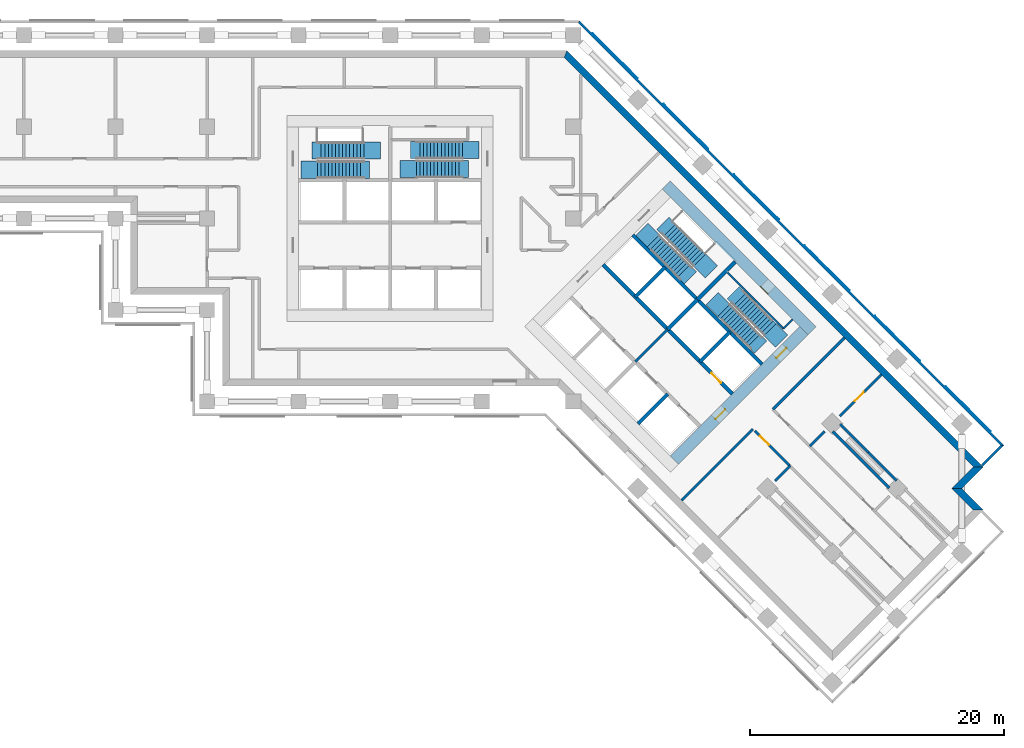
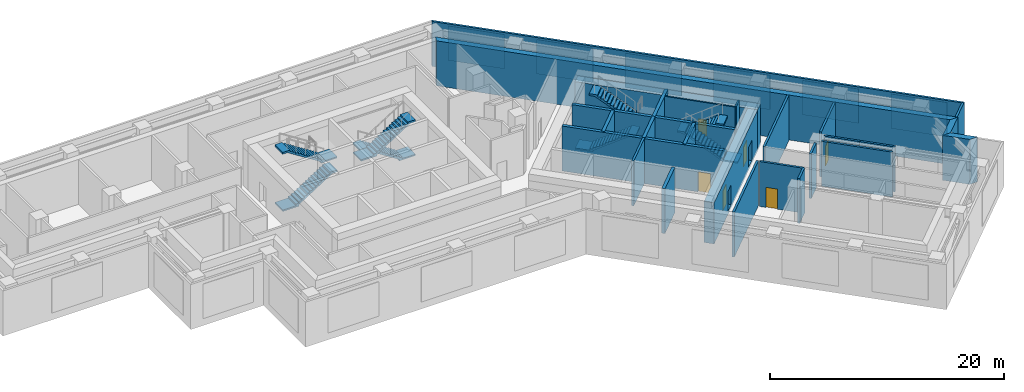
# One storey, part 6 of 8: 27 walls, 8 stair flights, 6 doors, 6 plates, 6 openings, 4 elements without a shape of their own.
"""IFC4 building model written with IfcOpenShell, lengths in metres."""

from ifc_helpers import new_model, si_unit, direction, frame, frame_2d, origin, place, context, subcontext, project, spatial, polyline, rectangle, outline, extrude, material, layer, layer_set, type_object, element, fill, aggregate, save


model = new_model("IFC4")

# Units and contexts
model_context = context("Model", 3, precision=1e-05, world=origin(), true_north=direction((0.0, 1.0)))
body_context = subcontext(model_context, "Body", "Model", "MODEL_VIEW")
ifc_project = project(units=[si_unit("LENGTHUNIT", "METRE"), si_unit("AREAUNIT", "SQUARE_METRE"), si_unit("VOLUMEUNIT", "CUBIC_METRE"), si_unit("PLANEANGLEUNIT", "RADIAN"), si_unit("MASSUNIT", "GRAM", prefix="KILO")], contexts=[model_context])

# Plate
ifc_material_1 = material(Name="Aluminium louvre", Category="aluminium")
ifc_layer_1 = layer(ifc_material_1, 0.05)
ifc_layer_set_1 = layer_set([ifc_layer_1], Name="Belt louvre panel 5000x3600")
plate_type = type_object("IfcPlateType", Name="Belt louvre panel 5000x3600", PredefinedType="SHEET", material=ifc_layer_set_1)
site_placement = place(None, origin())
building_placement = place(site_placement, origin())
storey_placement = place(building_placement, frame((0.0, 0.0, 72.0)))
plate_1_placement = place(storey_placement, frame((112.0284, 40.8687, 0.75), z_axis=(0.7070967812, 0.7071167811, 0.0), x_axis=(-0.7071167811, 0.7070967812, 0.0)))
plate_1 = element("IfcPlate", 1, at=plate_1_placement, type_object=plate_type, Name="Belt louvre panel L19 12.1", PredefinedType="SHEET", context=body_context, shape_type="SweptSolid", body=[
    extrude(outline(polyline([(0.0, 0.0), (5.0, 0.0), (5.0, 3.6), (0.0, 3.6), (0.0, 0.0)])), origin(), (0.0, 0.0, -1.0), 0.05),
])

plate_2_placement = place(storey_placement, frame((106.4793, 46.4177, 0.75), z_axis=(0.7071167811, 0.7070967812, 0.0), x_axis=(-0.7070967812, 0.7071167811, 0.0)))
plate_2 = element("IfcPlate", 2, at=plate_2_placement, type_object=plate_type, Name="Belt louvre panel L19 13.2", PredefinedType="SHEET", context=body_context, shape_type="SweptSolid", body=[
    extrude(outline(polyline([(0.0, 0.0), (5.0, 0.0), (5.0, 3.6), (0.0, 3.6), (0.0, 0.0)])), origin(), (0.0, 0.0, -1.0), 0.05),
])

plate_3_placement = place(storey_placement, frame((100.9303, 51.9667, 0.75), z_axis=(0.7071167811, 0.7070967812, 0.0), x_axis=(-0.7070967812, 0.7071167811, 0.0)))
plate_3 = element("IfcPlate", 3, at=plate_3_placement, type_object=plate_type, Name="Belt louvre panel L19 14.3", PredefinedType="SHEET", context=body_context, shape_type="SweptSolid", body=[
    extrude(outline(polyline([(0.0, 0.0), (5.0, 0.0), (5.0, 3.6), (0.0, 3.6), (0.0, 0.0)])), origin(), (0.0, 0.0, -1.0), 0.05),
])

plate_4_placement = place(storey_placement, frame((95.3813, 57.5158, 0.75), z_axis=(0.7071067812, 0.7071067812, 0.0), x_axis=(-0.7071067812, 0.7071067812, 0.0)))
plate_4 = element("IfcPlate", 4, at=plate_4_placement, type_object=plate_type, Name="Belt louvre panel L19 15.4", PredefinedType="SHEET", context=body_context, shape_type="SweptSolid", body=[
    extrude(outline(polyline([(0.0, 0.0), (5.0, 0.0), (5.0, 3.6), (0.0, 3.6), (0.0, 0.0)])), origin(), (0.0, 0.0, -1.0), 0.05),
])

plate_5_placement = place(storey_placement, frame((89.8323, 63.0648, 0.75), z_axis=(0.7070967812, 0.7071167811, 0.0), x_axis=(-0.7071167811, 0.7070967812, 0.0)))
plate_5 = element("IfcPlate", 5, at=plate_5_placement, type_object=plate_type, Name="Belt louvre panel L19 16.5", PredefinedType="SHEET", context=body_context, shape_type="SweptSolid", body=[
    extrude(outline(polyline([(0.0, 0.0), (5.0, 0.0), (5.0, 3.6), (0.0, 3.6), (0.0, 0.0)])), origin(), (0.0, 0.0, -1.0), 0.05),
])

plate_6_placement = place(storey_placement, frame((84.2832, 68.6138, 0.75), z_axis=(0.7071067812, 0.7071067812, 0.0), x_axis=(-0.7071067812, 0.7071067812, 0.0)))
plate_6 = element("IfcPlate", 6, at=plate_6_placement, type_object=plate_type, Name="Belt louvre panel L19 17.6", PredefinedType="SHEET", context=body_context, shape_type="SweptSolid", body=[
    extrude(outline(polyline([(0.0, 0.0), (5.0, 0.0), (5.0, 3.6), (0.0, 3.6), (0.0, 0.0)])), origin(), (0.0, 0.0, -1.0), 0.05),
])

# Site, building, storey
site = spatial("IfcSite", under=ifc_project, at=site_placement, CompositionType="ELEMENT")
building = spatial("IfcBuilding", under=site, at=building_placement, Name="Windrow Commons", CompositionType="ELEMENT")
storey = spatial("IfcBuildingStorey", under=building, at=storey_placement, Name="L19", CompositionType="ELEMENT", Elevation=72.0)

# Wall
ifc_material_2 = material(Name="Concrete C40/50 precast screen panel", Category="concrete")
ifc_layer_2 = layer(ifc_material_2, 0.2)
ifc_layer_set_2 = layer_set([ifc_layer_2], Name="Belt screen wall 200")
wall_type_1 = type_object("IfcWallType", Name="Belt screen wall 200", PredefinedType="SOLIDWALL", material=ifc_layer_set_2)
wall_1_placement = place(storey_placement, frame((112.929, 39.7559, 0.0), z_axis=(0.0, 0.0, 1.0), x_axis=(-0.7071067812, 0.7071067812, 0.0)))
wall_1 = element("IfcWall", 7, at=wall_1_placement, inside=storey, type_object=wall_type_1, Name="Belt screen wall L19 12", PredefinedType="SOLIDWALL", context=body_context, shape_type="SweptSolid", body=[
    extrude(outline(polyline([(-0.1, -0.1), (47.1263, -0.1), (47.0435, 0.1), (0.1, 0.1), (-0.1, -0.1)])), origin(), (0.0, 0.0, 1.0), 4.7),
])

aggregate(wall_1, [plate_1, plate_2, plate_3, plate_4, plate_5, plate_6])

# Walls
wall_2_placement = place(storey_placement, frame((111.3522, 38.1791, 0.0), z_axis=(0.0, 0.0, 1.0), x_axis=(0.7071067812, 0.7071067812, 0.0)))
element("IfcWall", 8, at=wall_2_placement, inside=storey, type_object=wall_type_1, Name="Belt screen wall L19 4", PredefinedType="SOLIDWALL", context=body_context, shape_type="SweptSolid", body=[
    extrude(outline(polyline([(0.0, -0.1), (2.33, -0.1), (2.13, 0.1), (0.0, 0.1), (0.0, -0.1)])), origin(), (0.0, 0.0, 1.0), 4.7),
])
ifc_material_3 = material(Name="Brick masonry, red clay brick", Category="masonry")
ifc_layer_3 = layer(ifc_material_3, 0.55)
ifc_layer_set_3 = layer_set([ifc_layer_3], Name="Brick facade wall 550")
wall_type_2 = type_object("IfcWallType", Name="Brick facade wall 550", PredefinedType="SOLIDWALL", material=ifc_layer_set_3)
wall_3_placement = place(storey_placement, frame((111.0552, 34.6648, 0.0), z_axis=(0.0, 0.0, 1.0), x_axis=(-0.7071276143, 0.7070859475, 0.0)))
element("IfcWall", 9, at=wall_3_placement, inside=storey, type_object=wall_type_2, Name="Brick facade wall L19 1", PredefinedType="SOLIDWALL", context=body_context, shape_type="SweptSolid", body=[
    extrude(outline(polyline([(-0.275, -0.275), (2.125, -0.275), (2.675, 0.275), (0.275, 0.275), (-0.275, -0.275)])), origin(), (0.0, 0.0, 1.0), 4.7),
])
wall_4_placement = place(storey_placement, frame((109.3581, 36.3618, 0.0), z_axis=(0.0, 0.0, 1.0), x_axis=(0.7071067812, 0.7071067812, 0.0)))
element("IfcWall", 10, at=wall_4_placement, inside=storey, type_object=wall_type_2, Name="Brick facade wall L19 2", PredefinedType="SOLIDWALL", context=body_context, shape_type="SweptSolid", body=[
    extrude(outline(polyline([(0.275, -0.275), (2.6751, -0.275), (2.1251, 0.275), (-0.275, 0.275), (0.275, -0.275)])), origin(), (0.0, 0.0, 1.0), 4.7),
])
wall_5_placement = place(storey_placement, frame((111.0552, 38.0589, 0.0), z_axis=(0.0, 0.0, 1.0), x_axis=(-0.7071078702, 0.7071056922, 0.0)))
element("IfcWall", 11, at=wall_5_placement, inside=storey, type_object=wall_type_2, Name="Brick facade wall L19 3", PredefinedType="SOLIDWALL", context=body_context, shape_type="SweptSolid", body=[
    extrude(outline(polyline([(-0.275, -0.275), (46.028, -0.275), (45.8002, 0.275), (0.275, 0.275), (-0.275, -0.275)])), origin(), (0.0, 0.0, 1.0), 4.7),
])
ifc_material_4 = material(Name="Blockwork partition", Category="masonry")
ifc_layer_4 = layer(ifc_material_4, 0.2)
ifc_layer_set_4 = layer_set([ifc_layer_4], Name="Fire lobby partition 200")
wall_type_3 = type_object("IfcWallType", Name="Fire lobby partition 200", PredefinedType="PARTITIONING", material=ifc_layer_set_4)
wall_6_placement = place(storey_placement, frame((84.079, 46.332, 0.0), z_axis=(0.0, 0.0, 1.0), x_axis=(0.7071067812, 0.7071067812, 0.0)))
element("IfcWall", 12, at=wall_6_placement, inside=storey, type_object=wall_type_3, Name="W-core-lobby-B-L19", PredefinedType="PARTITIONING", context=body_context, shape_type="SweptSolid", body=[
    extrude(rectangle(XDim=3.6, YDim=0.2, at=frame_2d((1.8, 0.0))), origin(), (0.0, 0.0, 1.0), 4.7),
])
ifc_material_5 = material(Name="Blockwork partition", Category="masonry")
ifc_layer_5 = layer(ifc_material_5, 0.2)
ifc_layer_set_5 = layer_set([ifc_layer_5], Name="IW-CORRIDOR-200")
wall_type_4 = type_object("IfcWallType", Name="IW-CORRIDOR-200", PredefinedType="PARTITIONING", material=ifc_layer_set_5)
wall_7_placement = place(storey_placement, frame((94.8969, 42.5851, 0.0), z_axis=(0.0, 0.0, 1.0), x_axis=(0.7071067812, 0.7071067812, 0.0)))
element("IfcWall", 13, at=wall_7_placement, inside=storey, type_object=wall_type_4, Name="W-L19-W005", PredefinedType="PARTITIONING", context=body_context, shape_type="SweptSolid", body=[
    extrude(rectangle(XDim=7.9501, YDim=0.2, at=frame_2d((3.975, 0.0))), origin(), (0.0, 0.0, 1.0), 4.7),
])
wall_8_placement = place(storey_placement, frame((87.7167, 35.4111, 0.0), z_axis=(0.0, 0.0, 1.0), x_axis=(0.7072325651, 0.7069809749, 0.0)))
element("IfcWall", 14, at=wall_8_placement, inside=storey, type_object=wall_type_4, Name="W-L19-W009", PredefinedType="PARTITIONING", context=body_context, shape_type="SweptSolid", body=[
    extrude(rectangle(XDim=7.9494, YDim=0.2, at=frame_2d((3.9747, 0.0))), origin(), (0.0, 0.0, 1.0), 4.7),
])

# Wall, opening, door
wall_9_placement = place(storey_placement, frame((93.4873, 40.8913, 0.0), z_axis=(0.0, 0.0, 1.0), x_axis=(0.7071067812, -0.7071067812, 0.0)))
wall_9 = element("IfcWall", 15, at=wall_9_placement, inside=storey, type_object=wall_type_4, Name="W-L19-W033", PredefinedType="PARTITIONING", context=body_context, shape_type="SweptSolid", body=[
    extrude(rectangle(XDim=3.9004, YDim=0.2, at=frame_2d((1.9502, 0.0))), origin(), (0.0, 0.0, 1.0), 4.7),
])
opening_1_placement = place(wall_9_placement, frame((0.5841, 0.0, 0.0)))
opening_1 = element("IfcOpeningElement", 16, at=opening_1_placement, cuts=wall_9, Name="Opening D410F", PredefinedType="OPENING", context=body_context, shape_type="SweptSolid", body=[
    extrude(rectangle(XDim=1.0, YDim=2.1, at=frame_2d((0.5, 1.05))), frame((0.0, 0.11, 0.0), z_axis=(0.0, -1.0, 0.0), x_axis=(1.0, 0.0, 0.0)), (0.0, 0.0, 1.0), 0.22),
])
ifc_material_6 = material(Name="Timber door leaf", Category="wood")
door_type_1 = type_object("IfcDoorType", Name="DT-SERVICE-1000", OperationType="SINGLE_SWING_LEFT", PredefinedType="DOOR", material=ifc_material_6)
door_1_placement = place(opening_1_placement, origin())
door_1 = element("IfcDoor", 17, at=door_1_placement, inside=storey, type_object=door_type_1, Name="D-L19-D019", OperationType="SINGLE_SWING_LEFT", OverallHeight=2.1, OverallWidth=1.0, PredefinedType="DOOR", context=body_context, shape_type="SweptSolid", body=[
    extrude(rectangle(XDim=1.0, YDim=2.1, at=frame_2d((0.5, 1.05))), frame((0.0, 0.025, 0.0), z_axis=(0.0, -1.0, 0.0), x_axis=(1.0, 0.0, 0.0)), (0.0, 0.0, 1.0), 0.05),
])
fill(opening_1, door_1)

# Wall
ifc_material_7 = material(Name="Blockwork partition", Category="masonry")
ifc_layer_6 = layer(ifc_material_7, 0.2)
ifc_layer_set_6 = layer_set([ifc_layer_6], Name="IW-PARTY-200")
wall_type_5 = type_object("IfcWallType", Name="IW-PARTY-200", PredefinedType="PARTITIONING", material=ifc_layer_set_6)
wall_10_placement = place(storey_placement, frame((99.5967, 40.8507, 0.0), z_axis=(0.0, 0.0, 1.0), x_axis=(0.7067894796, -0.7074239405, 0.0)))
element("IfcWall", 18, at=wall_10_placement, inside=storey, type_object=wall_type_5, Name="W-L19-W012", PredefinedType="PARTITIONING", context=body_context, shape_type="SweptSolid", body=[
    extrude(rectangle(XDim=6.3046, YDim=0.2, at=frame_2d((3.1523, 0.0))), origin(), (0.0, 0.0, 1.0), 4.7),
])

# Wall, opening, door
wall_11_placement = place(storey_placement, frame((100.163, 42.053, 0.0), z_axis=(0.0, 0.0, 1.0), x_axis=(0.7071067812, 0.7071067812, 0.0)))
wall_11 = element("IfcWall", 19, at=wall_11_placement, inside=storey, type_object=wall_type_5, Name="W-L19-W028", PredefinedType="PARTITIONING", context=body_context, shape_type="SweptSolid", body=[
    extrude(rectangle(XDim=4.6027, YDim=0.2, at=frame_2d((2.3013, 0.0))), origin(), (0.0, 0.0, 1.0), 4.7),
])
opening_2_placement = place(wall_11_placement, frame((1.6576, 0.0, 0.0)))
opening_2 = element("IfcOpeningElement", 20, at=opening_2_placement, cuts=wall_11, Name="Opening D310N", PredefinedType="OPENING", context=body_context, shape_type="SweptSolid", body=[
    extrude(rectangle(XDim=1.0, YDim=2.1, at=frame_2d((0.5, 1.05))), frame((0.0, 0.11, 0.0), z_axis=(0.0, -1.0, 0.0), x_axis=(1.0, 0.0, 0.0)), (0.0, 0.0, 1.0), 0.22),
])
ifc_material_8 = material(Name="Timber door leaf", Category="wood")
door_type_2 = type_object("IfcDoorType", Name="DT-AMENITY-1000", OperationType="SINGLE_SWING_LEFT", PredefinedType="DOOR", material=ifc_material_8)
door_2_placement = place(opening_2_placement, origin())
door_2 = element("IfcDoor", 21, at=door_2_placement, inside=storey, type_object=door_type_2, Name="D-L19-DX02", OperationType="SINGLE_SWING_LEFT", OverallHeight=2.1, OverallWidth=1.0, PredefinedType="DOOR", context=body_context, shape_type="SweptSolid", body=[
    extrude(rectangle(XDim=1.0, YDim=2.1, at=frame_2d((0.5, 1.05))), frame((0.0, 0.025, 0.0), z_axis=(0.0, -1.0, 0.0), x_axis=(1.0, 0.0, 0.0)), (0.0, 0.0, 1.0), 0.05),
])
fill(opening_2, door_2)

# Walls
wall_12_placement = place(storey_placement, frame((100.1675, 41.4235, 0.0), z_axis=(0.0, 0.0, 1.0), x_axis=(0.7071067812, -0.7071067812, 0.0)))
element("IfcWall", 22, at=wall_12_placement, inside=storey, type_object=wall_type_5, Name="W-L19-W040", PredefinedType="PARTITIONING", context=body_context, shape_type="SweptSolid", body=[
    extrude(rectangle(XDim=3.1537, YDim=0.2, at=frame_2d((1.5769, 0.0))), origin(), (0.0, 0.0, 1.0), 4.7),
])
wall_13_placement = place(storey_placement, frame((102.3975, 39.1935, 0.0), z_axis=(0.0, 0.0, 1.0), x_axis=(0.7067891945, -0.7074242253, 0.0)))
element("IfcWall", 23, at=wall_13_placement, inside=storey, type_object=wall_type_5, Name="W-L19-W043", PredefinedType="PARTITIONING", context=body_context, shape_type="SweptSolid", body=[
    extrude(rectangle(XDim=3.1495, YDim=0.2, at=frame_2d((1.5748, 0.0))), origin(), (0.0, 0.0, 1.0), 4.7),
])
for number, where, z_axis, x_axis, name in (
    (24, (97.796, 39.686, 0.0), (0.0, 0.0, 1.0), (0.7071067812, 0.7071067812, 0.0), "W-L19-W066"),
    (25, (95.073, 36.963, 0.0), (0.0, 0.0, 1.0), (0.7071067812, 0.7071067812, 0.0), "W-L19-W067"),
):
    element("IfcWall", number, at=place(storey_placement, frame(where, z_axis=z_axis, x_axis=x_axis)), inside=storey, type_object=wall_type_5, Name=name, PredefinedType="PARTITIONING", context=body_context, shape_type="SweptSolid", body=[
        extrude(rectangle(XDim=1.6518, YDim=0.2, at=frame_2d((0.8259, 0.0))), origin(), (0.0, 0.0, 1.0), 4.7),
    ])

# Wall, opening, door
ifc_material_9 = material(Name="Concrete C60/75", Category="concrete")
ifc_layer_7 = layer(ifc_material_9, 0.9)
ifc_layer_set_7 = layer_set([ifc_layer_7], Name="RC CORE WALL 900 C60/75")
wall_type_6 = type_object("IfcWallType", Name="RC CORE WALL 900 C60/75", PredefinedType="SHEAR", material=ifc_layer_set_7)
wall_14_placement = place(storey_placement, frame((86.5186, 60.2267, -0.3), z_axis=(0.0, 0.0, 1.0), x_axis=(0.7071036948, -0.7071098676, 0.0)))
wall_14 = element("IfcWall", 26, at=wall_14_placement, inside=storey, type_object=wall_type_6, Name="Core B wall outer-N", PredefinedType="SHEAR", context=body_context, shape_type="SweptSolid", body=[
    extrude(rectangle(XDim=16.2, YDim=0.9, at=frame_2d((8.1, 0.0))), origin(), (0.0, 0.0, 1.0), 4.3),
])
opening_3_placement = place(wall_14_placement, frame((10.9, 0.0, 0.3)))
opening_3 = element("IfcOpeningElement", 27, at=opening_3_placement, cuts=wall_14, Name="Opening D9", PredefinedType="OPENING", context=body_context, shape_type="SweptSolid", body=[
    extrude(rectangle(XDim=0.8, YDim=2.1, at=frame_2d((0.4, 1.05))), frame((0.0, 0.46, 0.0), z_axis=(0.0, -1.0, 0.0), x_axis=(1.0, 0.0, 0.0)), (0.0, 0.0, 1.0), 0.92),
])
ifc_material_10 = material(Name="Steel fire door leaf", Category="steel")
door_type_3 = type_object("IfcDoorType", Name="Riser access door 800", OperationType="SINGLE_SWING_LEFT", PredefinedType="DOOR", material=ifc_material_10)
door_3_placement = place(opening_3_placement, origin())
door_3 = element("IfcDoor", 28, at=door_3_placement, inside=storey, type_object=door_type_3, Name="Riser access door", OperationType="SINGLE_SWING_RIGHT", OverallHeight=2.1, OverallWidth=0.8, PredefinedType="DOOR", context=body_context, shape_type="SweptSolid", body=[
    extrude(rectangle(XDim=0.8, YDim=2.1, at=frame_2d((0.4, 1.05))), frame((0.0, -0.39, 0.0), z_axis=(0.0, -1.0, 0.0), x_axis=(1.0, 0.0, 0.0)), (0.0, 0.0, 1.0), 0.05),
])
fill(opening_3, door_3)

# Wall, openings, doors
wall_15_placement = place(storey_placement, frame((87.155, 38.5892, -0.3), z_axis=(0.0, 0.0, 1.0), x_axis=(0.7071067812, 0.7071067812, 0.0)))
wall_15 = element("IfcWall", 29, at=wall_15_placement, inside=storey, type_object=wall_type_6, Name="Core B wall outer-E", PredefinedType="SHEAR", context=body_context, shape_type="SweptSolid", body=[
    extrude(rectangle(XDim=14.3999, YDim=0.9, at=frame_2d((7.2, 0.0))), origin(), (0.0, 0.0, 1.0), 4.3),
])
opening_4_placement = place(wall_15_placement, frame((4.55, 0.0, 0.3)))
opening_4 = element("IfcOpeningElement", 30, at=opening_4_placement, cuts=wall_15, Name="Opening D6", PredefinedType="OPENING", context=body_context, shape_type="SweptSolid", body=[
    extrude(rectangle(XDim=1.1, YDim=2.1, at=frame_2d((0.55, 1.05))), frame((0.0, 0.46, 0.0), z_axis=(0.0, -1.0, 0.0), x_axis=(1.0, 0.0, 0.0)), (0.0, 0.0, 1.0), 0.92),
])
opening_5_placement = place(wall_15_placement, frame((11.35, 0.0, 0.3)))
opening_5 = element("IfcOpeningElement", 31, at=opening_5_placement, cuts=wall_15, Name="Opening D7", PredefinedType="OPENING", context=body_context, shape_type="SweptSolid", body=[
    extrude(rectangle(XDim=1.1, YDim=2.1, at=frame_2d((0.55, 1.05))), frame((0.0, 0.46, 0.0), z_axis=(0.0, -1.0, 0.0), x_axis=(1.0, 0.0, 0.0)), (0.0, 0.0, 1.0), 0.92),
])
ifc_material_11 = material(Name="Steel fire door leaf", Category="steel")
door_type_4 = type_object("IfcDoorType", Name="Core lobby door 1100", OperationType="SINGLE_SWING_LEFT", PredefinedType="DOOR", material=ifc_material_11)
door_4_placement = place(opening_4_placement, origin())
door_4 = element("IfcDoor", 32, at=door_4_placement, inside=storey, type_object=door_type_4, Name="Lift lobby door", OperationType="DOUBLE_DOOR_SINGLE_SWING", OverallHeight=2.1, OverallWidth=1.1, PredefinedType="DOOR", context=body_context, shape_type="SweptSolid", body=[
    extrude(rectangle(XDim=1.1, YDim=2.1, at=frame_2d((0.55, 1.05))), frame((0.0, 0.025, 0.0), z_axis=(0.0, -1.0, 0.0), x_axis=(1.0, 0.0, 0.0)), (0.0, 0.0, 1.0), 0.05),
])
fill(opening_4, door_4)
ifc_material_12 = material(Name="Steel fire door leaf", Category="steel")
door_type_5 = type_object("IfcDoorType", Name="Stair door 1100", OperationType="SINGLE_SWING_LEFT", PredefinedType="DOOR", material=ifc_material_12)
door_5_placement = place(opening_5_placement, origin())
door_5 = element("IfcDoor", 33, at=door_5_placement, inside=storey, type_object=door_type_5, Name="Stair door", OperationType="SINGLE_SWING_RIGHT", OverallHeight=2.1, OverallWidth=1.1, PredefinedType="DOOR", context=body_context, shape_type="SweptSolid", body=[
    extrude(rectangle(XDim=1.1, YDim=2.1, at=frame_2d((0.55, 1.05))), frame((0.0, 0.025, 0.0), z_axis=(0.0, -1.0, 0.0), x_axis=(1.0, 0.0, 0.0)), (0.0, 0.0, 1.0), 0.05),
])
fill(opening_5, door_5)

# Walls
ifc_material_13 = material(Name="Concrete C60/75", Category="concrete")
ifc_layer_8 = layer(ifc_material_13, 0.3)
ifc_layer_set_8 = layer_set([ifc_layer_8], Name="RC SHAFT WALL 300 C60/75")
wall_type_7 = type_object("IfcWallType", Name="RC SHAFT WALL 300 C60/75", PredefinedType="SOLIDWALL", material=ifc_layer_set_8)
wall_16_placement = place(storey_placement, frame((84.079, 51.4232, 0.0), z_axis=(0.0, 0.0, 1.0), x_axis=(0.7071219326, 0.7070916295, 0.0)))
element("IfcWall", 34, at=wall_16_placement, inside=storey, type_object=wall_type_7, Name="Core B wall shaft-N1", PredefinedType="SOLIDWALL", context=body_context, shape_type="SweptSolid", body=[
    extrude(rectangle(XDim=3.3, YDim=0.3, at=frame_2d((1.65, 0.0))), origin(), (0.0, 0.0, 1.0), 4.7),
])
wall_17_placement = place(storey_placement, frame((86.6246, 48.8776, 0.0), z_axis=(0.0, 0.0, 1.0), x_axis=(0.7071067812, 0.7071067812, 0.0)))
element("IfcWall", 35, at=wall_17_placement, inside=storey, type_object=wall_type_7, Name="Core B wall shaft-N2", PredefinedType="SOLIDWALL", context=body_context, shape_type="SweptSolid", body=[
    extrude(rectangle(XDim=3.3001, YDim=0.3, at=frame_2d((1.6501, 0.0))), origin(), (0.0, 0.0, 1.0), 4.7),
])
wall_18_placement = place(storey_placement, frame((84.2912, 41.453, 0.0), z_axis=(0.0, 0.0, 1.0), x_axis=(0.7071067812, 0.7071067812, 0.0)))
element("IfcWall", 36, at=wall_18_placement, inside=storey, type_object=wall_type_7, Name="Core B wall shaft-S3", PredefinedType="SOLIDWALL", context=body_context, shape_type="SweptSolid", body=[
    extrude(rectangle(XDim=3.2999, YDim=0.3, at=frame_2d((1.65, 0.0))), origin(), (0.0, 0.0, 1.0), 4.7),
])
wall_19_placement = place(storey_placement, frame((89.1702, 46.332, 0.0), z_axis=(0.0, 0.0, 1.0), x_axis=(0.7071067812, 0.7071067812, 0.0)))
element("IfcWall", 37, at=wall_19_placement, inside=storey, type_object=wall_type_7, Name="Core B wall shaft-N3", PredefinedType="SOLIDWALL", context=body_context, shape_type="SweptSolid", body=[
    extrude(rectangle(XDim=3.3001, YDim=0.3, at=frame_2d((1.6501, 0.0))), origin(), (0.0, 0.0, 1.0), 4.7),
])

# Wall, opening, door
wall_20_placement = place(storey_placement, frame((81.5335, 53.9688, 0.0), z_axis=(0.0, 0.0, 1.0), x_axis=(0.707103309, -0.7071102534, 0.0)))
wall_20 = element("IfcWall", 38, at=wall_20_placement, inside=storey, type_object=wall_type_7, Name="Core B wall lobby-N", PredefinedType="SOLIDWALL", context=body_context, shape_type="SweptSolid", body=[
    extrude(rectangle(XDim=14.4, YDim=0.3, at=frame_2d((7.2, 0.0))), origin(), (0.0, 0.0, 1.0), 4.7),
])
opening_6_placement = place(wall_20_placement, frame((12.05, 0.0, 0.0)))
opening_6 = element("IfcOpeningElement", 39, at=opening_6_placement, cuts=wall_20, Name="Opening LD", PredefinedType="OPENING", context=body_context, shape_type="SweptSolid", body=[
    extrude(rectangle(XDim=1.1, YDim=2.1, at=frame_2d((0.55, 1.05))), frame((0.0, 0.16, 0.0), z_axis=(0.0, -1.0, 0.0), x_axis=(1.0, 0.0, 0.0)), (0.0, 0.0, 1.0), 0.32),
])
ifc_material_14 = material(Name="Stainless steel door leaf", Category="steel")
door_type_6 = type_object("IfcDoorType", Name="Lift landing door 1100", OperationType="SLIDING_TO_LEFT", PredefinedType="DOOR", material=ifc_material_14)
door_6_placement = place(opening_6_placement, origin())
door_6 = element("IfcDoor", 40, at=door_6_placement, inside=storey, type_object=door_type_6, Name="Lift landing door", OperationType="SLIDING_TO_RIGHT", OverallHeight=2.1, OverallWidth=1.1, PredefinedType="DOOR", context=body_context, shape_type="SweptSolid", body=[
    extrude(rectangle(XDim=1.1, YDim=2.1, at=frame_2d((0.55, 1.05))), frame((0.0, 0.025, 0.0), z_axis=(0.0, -1.0, 0.0), x_axis=(1.0, 0.0, 0.0)), (0.0, 0.0, 1.0), 0.05),
])
fill(opening_6, door_6)

# Walls
for number, where, z_axis, x_axis, name in (
    (41, (83.8669, 56.3022, 0.0), (0.0, 0.0, 1.0), (0.7071137256, -0.7070998367, 0.0), "Core B wall stair-S"),
    (42, (88.9581, 51.2111, 0.0), (0.0, 0.0, 1.0), (0.7070998367, -0.7071137256, 0.0), "Core B wall stair-S2"),
):
    element("IfcWall", number, at=place(storey_placement, frame(where, z_axis=z_axis, x_axis=x_axis)), inside=storey, type_object=wall_type_7, Name=name, PredefinedType="SOLIDWALL", context=body_context, shape_type="SweptSolid", body=[
        extrude(rectangle(XDim=7.2, YDim=0.3, at=frame_2d((3.6, 0.0))), origin(), (0.0, 0.0, 1.0), 4.7),
    ])
wall_21_placement = place(storey_placement, frame((88.9581, 51.2111, 0.0), z_axis=(0.0, 0.0, 1.0), x_axis=(0.7071067812, 0.7071067812, 0.0)))
element("IfcWall", 43, at=wall_21_placement, inside=storey, type_object=wall_type_7, Name="Core B wall stair-mid", PredefinedType="SOLIDWALL", context=body_context, shape_type="SweptSolid", body=[
    extrude(rectangle(XDim=4.1999, YDim=0.3, at=frame_2d((2.1, 0.0))), origin(), (0.0, 0.0, 1.0), 4.7),
])
ifc_material_15 = material(Name="Blockwork partition", Category="masonry")
ifc_layer_9 = layer(ifc_material_15, 0.15)
ifc_layer_set_9 = layer_set([ifc_layer_9], Name="Riser partition 150")
wall_type_8 = type_object("IfcWallType", Name="Riser partition 150", PredefinedType="PARTITIONING", material=ifc_layer_set_9)
wall_22_placement = place(storey_placement, frame((91.3127, 53.3536, 0.0), z_axis=(0.0, 0.0, 1.0), x_axis=(0.7071147811, -0.7070987812, 0.0)))
element("IfcWall", 44, at=wall_22_placement, inside=storey, type_object=wall_type_8, Name="W-core-strip-B-L19", PredefinedType="PARTITIONING", context=body_context, shape_type="SweptSolid", body=[
    extrude(rectangle(XDim=6.25, YDim=0.15, at=frame_2d((3.125, 0.0))), origin(), (0.0, 0.0, 1.0), 4.7),
])
wall_23_placement = place(storey_placement, frame((95.7322, 48.9342, 0.0), z_axis=(0.0, 0.0, 1.0), x_axis=(0.7071067812, 0.7071067812, 0.0)))
element("IfcWall", 45, at=wall_23_placement, inside=storey, type_object=wall_type_8, Name="W-core-stripx-B-L19-1", PredefinedType="PARTITIONING", context=body_context, shape_type="SweptSolid", body=[
    extrude(rectangle(XDim=1.0199, YDim=0.15, at=frame_2d((0.51, 0.0))), origin(), (0.0, 0.0, 1.0), 4.7),
])

# Stair, stair flights
ifc_material_16 = material(Name="Concrete C40/50", Category="concrete")
stair_type = type_object("IfcStairType", Name="Core stair", PredefinedType="HALF_TURN_STAIR", material=ifc_material_16)
placement = place(storey_placement, origin())
stair_1 = element("IfcStair", 46, at=placement, inside=storey, type_object=stair_type, Name="L19 Exit stair A1 core A", PredefinedType="HALF_TURN_STAIR")
ifc_material_17 = material(Name="Concrete C40/50", Category="concrete")
stair_flight_type = type_object("IfcStairFlightType", Name="Core stair flight", PredefinedType="STRAIGHT", material=ifc_material_17)
stair_flight_1_placement = place(storey_placement, frame((59.1, 61.425, 0.0), z_axis=(0.0, 0.0, 1.0), x_axis=(1.0, 0.0, 0.0)))
stair_flight_1 = element("IfcStairFlight", 47, at=stair_flight_1_placement, type_object=stair_flight_type, Name="ST-A1 flight 1", NumberOfRisers=14, NumberOfTreads=13, PredefinedType="STRAIGHT", RiserHeight=0.178571429, TreadLength=0.28, context=body_context, shape_type="SweptSolid", body=[
    extrude(outline(polyline([(-1.3, -0.15), (-1.3, 0.0), (0.0, 0.0), (0.0, 0.1786), (0.28, 0.1786), (0.28, 0.3571), (0.56, 0.3571), (0.56, 0.5357), (0.84, 0.5357), (0.84, 0.7143), (1.12, 0.7143), (1.12, 0.8929), (1.4, 0.8929), (1.4, 1.0714), (1.68, 1.0714), (1.68, 1.25), (1.96, 1.25), (1.96, 1.4286), (2.24, 1.4286), (2.24, 1.6071), (2.52, 1.6071), (2.52, 1.7857), (2.8, 1.7857), (2.8, 1.9643), (3.08, 1.9643), (3.08, 2.1429), (3.36, 2.1429), (3.36, 2.3214), (3.64, 2.3214), (4.09, 2.3214), (4.09, 2.1214), (3.64, 2.1214), (3.64, 2.1435), (0.279, 0.0), (0.279, -0.15), (-1.3, -0.15)])), frame((0.0, 0.675, 0.0), z_axis=(0.0, -1.0, 0.0), x_axis=(1.0, 0.0, 0.0)), (0.0, 0.0, 1.0), 1.35),
])
stair_flight_2_placement = place(storey_placement, frame((62.74, 62.925, 2.5), z_axis=(0.0, 0.0, 1.0), x_axis=(-1.0, 0.0, 0.0)))
stair_flight_2 = element("IfcStairFlight", 48, at=stair_flight_2_placement, type_object=stair_flight_type, Name="ST-A1 flight 2", NumberOfRisers=14, NumberOfTreads=13, PredefinedType="STRAIGHT", RiserHeight=0.178571429, TreadLength=0.28, context=body_context, shape_type="SweptSolid", body=[
    extrude(outline(polyline([(-1.3, -0.15), (-1.3, 0.0), (0.0, 0.0), (0.0, 0.1786), (0.28, 0.1786), (0.28, 0.3571), (0.56, 0.3571), (0.56, 0.5357), (0.84, 0.5357), (0.84, 0.7143), (1.12, 0.7143), (1.12, 0.8929), (1.4, 0.8929), (1.4, 1.0714), (1.68, 1.0714), (1.68, 1.25), (1.96, 1.25), (1.96, 1.4286), (2.24, 1.4286), (2.24, 1.6071), (2.52, 1.6071), (2.52, 1.7857), (2.8, 1.7857), (2.8, 1.9643), (3.08, 1.9643), (3.08, 2.1429), (3.36, 2.1429), (3.36, 2.3214), (3.64, 2.3214), (4.09, 2.3214), (4.09, 2.1214), (3.64, 2.1214), (3.64, 2.1435), (0.279, 0.0), (0.279, -0.15), (-1.3, -0.15)])), frame((0.0, 0.675, 0.0), z_axis=(0.0, -1.0, 0.0), x_axis=(1.0, 0.0, 0.0)), (0.0, 0.0, 1.0), 1.35),
])
aggregate(stair_1, [stair_flight_1, stair_flight_2])

stair_2 = element("IfcStair", 49, at=placement, inside=storey, type_object=stair_type, Name="L19 Exit stair A2 core A", PredefinedType="HALF_TURN_STAIR")
stair_flight_3_placement = place(storey_placement, frame((70.5, 62.98, 0.0), z_axis=(0.0, 0.0, 1.0), x_axis=(-1.0, 0.0, 0.0)))
stair_flight_3 = element("IfcStairFlight", 50, at=stair_flight_3_placement, type_object=stair_flight_type, Name="ST-A2 flight 1", NumberOfRisers=14, NumberOfTreads=13, PredefinedType="STRAIGHT", RiserHeight=0.178571429, TreadLength=0.28, context=body_context, shape_type="SweptSolid", body=[
    extrude(outline(polyline([(-1.3, -0.15), (-1.3, 0.0), (0.0, 0.0), (0.0, 0.1786), (0.28, 0.1786), (0.28, 0.3571), (0.56, 0.3571), (0.56, 0.5357), (0.84, 0.5357), (0.84, 0.7143), (1.12, 0.7143), (1.12, 0.8929), (1.4, 0.8929), (1.4, 1.0714), (1.68, 1.0714), (1.68, 1.25), (1.96, 1.25), (1.96, 1.4286), (2.24, 1.4286), (2.24, 1.6071), (2.52, 1.6071), (2.52, 1.7857), (2.8, 1.7857), (2.8, 1.9643), (3.08, 1.9643), (3.08, 2.1429), (3.36, 2.1429), (3.36, 2.3214), (3.64, 2.3214), (4.09, 2.3214), (4.09, 2.1214), (3.64, 2.1214), (3.64, 2.1435), (0.279, 0.0), (0.279, -0.15), (-1.3, -0.15)])), frame((0.0, 0.675, 0.0), z_axis=(0.0, -1.0, 0.0), x_axis=(1.0, 0.0, 0.0)), (0.0, 0.0, 1.0), 1.35),
])
stair_flight_4_placement = place(storey_placement, frame((66.86, 61.48, 2.5), z_axis=(0.0, 0.0, 1.0), x_axis=(1.0, 0.0, 0.0)))
stair_flight_4 = element("IfcStairFlight", 51, at=stair_flight_4_placement, type_object=stair_flight_type, Name="ST-A2 flight 2", NumberOfRisers=14, NumberOfTreads=13, PredefinedType="STRAIGHT", RiserHeight=0.178571429, TreadLength=0.28, context=body_context, shape_type="SweptSolid", body=[
    extrude(outline(polyline([(-1.3, -0.15), (-1.3, 0.0), (0.0, 0.0), (0.0, 0.1786), (0.28, 0.1786), (0.28, 0.3571), (0.56, 0.3571), (0.56, 0.5357), (0.84, 0.5357), (0.84, 0.7143), (1.12, 0.7143), (1.12, 0.8929), (1.4, 0.8929), (1.4, 1.0714), (1.68, 1.0714), (1.68, 1.25), (1.96, 1.25), (1.96, 1.4286), (2.24, 1.4286), (2.24, 1.6071), (2.52, 1.6071), (2.52, 1.7857), (2.8, 1.7857), (2.8, 1.9643), (3.08, 1.9643), (3.08, 2.1429), (3.36, 2.1429), (3.36, 2.3214), (3.64, 2.3214), (4.09, 2.3214), (4.09, 2.1214), (3.64, 2.1214), (3.64, 2.1435), (0.279, 0.0), (0.279, -0.15), (-1.3, -0.15)])), frame((0.0, 0.675, 0.0), z_axis=(0.0, -1.0, 0.0), x_axis=(1.0, 0.0, 0.0)), (0.0, 0.0, 1.0), 1.35),
])
aggregate(stair_2, [stair_flight_3, stair_flight_4])

stair_3 = element("IfcStair", 52, at=placement, inside=storey, type_object=stair_type, Name="L19 Exit stair B1 core B", PredefinedType="HALF_TURN_STAIR")
stair_flight_5_placement = place(storey_placement, frame((85.5109, 55.8249, 0.0), z_axis=(0.0, 0.0, 1.0), x_axis=(0.7071067812, -0.7071067812, 0.0)))
stair_flight_5 = element("IfcStairFlight", 53, at=stair_flight_5_placement, type_object=stair_flight_type, Name="ST-B1 flight 1", NumberOfRisers=14, NumberOfTreads=13, PredefinedType="STRAIGHT", RiserHeight=0.178571429, TreadLength=0.28, context=body_context, shape_type="SweptSolid", body=[
    extrude(outline(polyline([(-1.3, -0.15), (-1.3, 0.0), (0.0, 0.0), (0.0, 0.1786), (0.28, 0.1786), (0.28, 0.3571), (0.56, 0.3571), (0.56, 0.5357), (0.84, 0.5357), (0.84, 0.7143), (1.12, 0.7143), (1.12, 0.8929), (1.4, 0.8929), (1.4, 1.0714), (1.68, 1.0714), (1.68, 1.25), (1.96, 1.25), (1.96, 1.4286), (2.24, 1.4286), (2.24, 1.6071), (2.52, 1.6071), (2.52, 1.7857), (2.8, 1.7857), (2.8, 1.9643), (3.08, 1.9643), (3.08, 2.1429), (3.36, 2.1429), (3.36, 2.3214), (3.64, 2.3214), (4.09, 2.3214), (4.09, 2.1214), (3.64, 2.1214), (3.64, 2.1435), (0.279, 0.0), (0.279, -0.15), (-1.3, -0.15)])), frame((0.0, 0.675, 0.0), z_axis=(0.0, -1.0, 0.0), x_axis=(1.0, 0.0, 0.0)), (0.0, 0.0, 1.0), 1.35),
])
stair_flight_6_placement = place(storey_placement, frame((89.1455, 54.3117, 2.5), z_axis=(0.0, 0.0, 1.0), x_axis=(-0.7071067812, 0.7071067812, 0.0)))
stair_flight_6 = element("IfcStairFlight", 54, at=stair_flight_6_placement, type_object=stair_flight_type, Name="ST-B1 flight 2", NumberOfRisers=14, NumberOfTreads=13, PredefinedType="STRAIGHT", RiserHeight=0.178571429, TreadLength=0.28, context=body_context, shape_type="SweptSolid", body=[
    extrude(outline(polyline([(-1.3, -0.15), (-1.3, 0.0), (0.0, 0.0), (0.0, 0.1786), (0.28, 0.1786), (0.28, 0.3571), (0.56, 0.3571), (0.56, 0.5357), (0.84, 0.5357), (0.84, 0.7143), (1.12, 0.7143), (1.12, 0.8929), (1.4, 0.8929), (1.4, 1.0714), (1.68, 1.0714), (1.68, 1.25), (1.96, 1.25), (1.96, 1.4286), (2.24, 1.4286), (2.24, 1.6071), (2.52, 1.6071), (2.52, 1.7857), (2.8, 1.7857), (2.8, 1.9643), (3.08, 1.9643), (3.08, 2.1429), (3.36, 2.1429), (3.36, 2.3214), (3.64, 2.3214), (4.09, 2.3214), (4.09, 2.1214), (3.64, 2.1214), (3.64, 2.1435), (0.279, 0.0), (0.279, -0.15), (-1.3, -0.15)])), frame((0.0, 0.675, 0.0), z_axis=(0.0, -1.0, 0.0), x_axis=(1.0, 0.0, 0.0)), (0.0, 0.0, 1.0), 1.35),
])
aggregate(stair_3, [stair_flight_5, stair_flight_6])

stair_4 = element("IfcStair", 55, at=placement, inside=storey, type_object=stair_type, Name="L19 Exit stair B2 core B", PredefinedType="HALF_TURN_STAIR")
stair_flight_7_placement = place(storey_placement, frame((94.6715, 48.8635, 0.0), z_axis=(0.0, 0.0, 1.0), x_axis=(-0.7071067812, 0.7071067812, 0.0)))
stair_flight_7 = element("IfcStairFlight", 56, at=stair_flight_7_placement, type_object=stair_flight_type, Name="ST-B2 flight 1", NumberOfRisers=14, NumberOfTreads=13, PredefinedType="STRAIGHT", RiserHeight=0.178571429, TreadLength=0.28, context=body_context, shape_type="SweptSolid", body=[
    extrude(outline(polyline([(-1.3, -0.15), (-1.3, 0.0), (0.0, 0.0), (0.0, 0.1786), (0.28, 0.1786), (0.28, 0.3571), (0.56, 0.3571), (0.56, 0.5357), (0.84, 0.5357), (0.84, 0.7143), (1.12, 0.7143), (1.12, 0.8929), (1.4, 0.8929), (1.4, 1.0714), (1.68, 1.0714), (1.68, 1.25), (1.96, 1.25), (1.96, 1.4286), (2.24, 1.4286), (2.24, 1.6071), (2.52, 1.6071), (2.52, 1.7857), (2.8, 1.7857), (2.8, 1.9643), (3.08, 1.9643), (3.08, 2.1429), (3.36, 2.1429), (3.36, 2.3214), (3.64, 2.3214), (4.09, 2.3214), (4.09, 2.1214), (3.64, 2.1214), (3.64, 2.1435), (0.279, 0.0), (0.279, -0.15), (-1.3, -0.15)])), frame((0.0, 0.675, 0.0), z_axis=(0.0, -1.0, 0.0), x_axis=(1.0, 0.0, 0.0)), (0.0, 0.0, 1.0), 1.35),
])
stair_flight_8_placement = place(storey_placement, frame((91.037, 50.3767, 2.5), z_axis=(0.0, 0.0, 1.0), x_axis=(0.7071067812, -0.7071067812, 0.0)))
stair_flight_8 = element("IfcStairFlight", 57, at=stair_flight_8_placement, type_object=stair_flight_type, Name="ST-B2 flight 2", NumberOfRisers=14, NumberOfTreads=13, PredefinedType="STRAIGHT", RiserHeight=0.178571429, TreadLength=0.28, context=body_context, shape_type="SweptSolid", body=[
    extrude(outline(polyline([(-1.3, -0.15), (-1.3, 0.0), (0.0, 0.0), (0.0, 0.1786), (0.28, 0.1786), (0.28, 0.3571), (0.56, 0.3571), (0.56, 0.5357), (0.84, 0.5357), (0.84, 0.7143), (1.12, 0.7143), (1.12, 0.8929), (1.4, 0.8929), (1.4, 1.0714), (1.68, 1.0714), (1.68, 1.25), (1.96, 1.25), (1.96, 1.4286), (2.24, 1.4286), (2.24, 1.6071), (2.52, 1.6071), (2.52, 1.7857), (2.8, 1.7857), (2.8, 1.9643), (3.08, 1.9643), (3.08, 2.1429), (3.36, 2.1429), (3.36, 2.3214), (3.64, 2.3214), (4.09, 2.3214), (4.09, 2.1214), (3.64, 2.1214), (3.64, 2.1435), (0.279, 0.0), (0.279, -0.15), (-1.3, -0.15)])), frame((0.0, 0.675, 0.0), z_axis=(0.0, -1.0, 0.0), x_axis=(1.0, 0.0, 0.0)), (0.0, 0.0, 1.0), 1.35),
])
aggregate(stair_4, [stair_flight_7, stair_flight_8])

save(model, "model.ifc")
